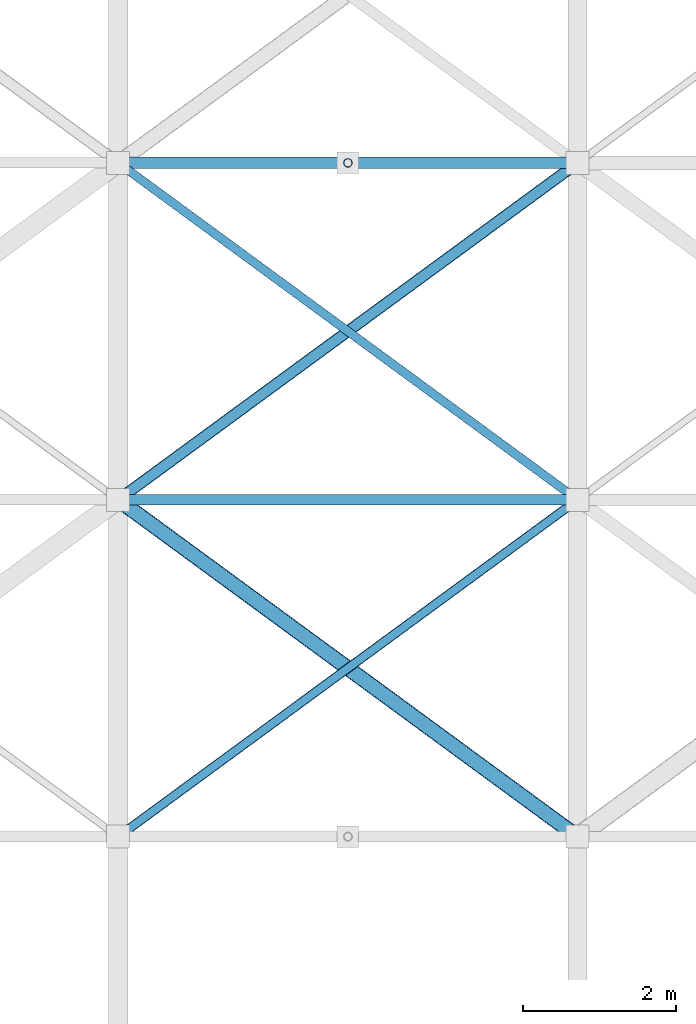
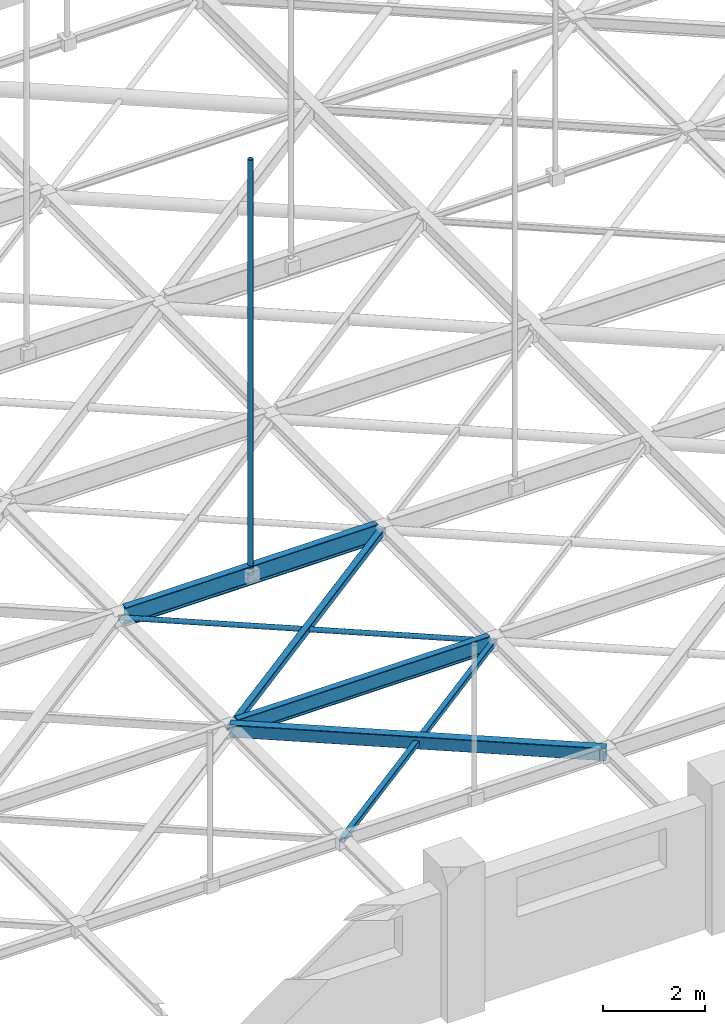
# One storey, part 34 of 93: 5 members, 2 beams.
"""IFC4 building model written with IfcOpenShell, lengths in metres."""

import ifcopenshell
import ifcopenshell.guid

model = None  # the IFC model being written
_history = None  # IfcOwnerHistory: only IFC2X3 demands one
_inside = {}  # id of a spatial element -> (the spatial element, [elements in it])
_under = {}  # id of a project, library or spatial element -> (it, [spatial elements below it])
_declared = {}  # id of a project -> (the project, [libraries it declares])
_typed = {}  # id of a type object -> (the type object, [elements of that type])
_made_of = {}  # id of a material, layer set ... -> (it, [elements and type objects made of it])


def new_model(schema):
    """Start an empty IFC model of exactly this schema.

    Asked for "IFC4X3", IfcOpenShell would pick the latest addendum, in which some entities
    have other attributes; the version numbers below select the first issue.
    IFC2X3 requires an IfcOwnerHistory on every rooted entity: one is made here for all.
    """
    global model, _history
    if schema == "IFC4X3":
        model = ifcopenshell.file(schema_version=(4, 3, 0, 0))
    else:
        model = ifcopenshell.file(schema=schema)
    _inside.clear()
    _under.clear()
    _declared.clear()
    _typed.clear()
    _made_of.clear()
    _history = None
    if model.schema == "IFC2X3":
        org = make("IfcOrganization", Name="unknown")
        user = make(
            "IfcPersonAndOrganization",
            ThePerson=make("IfcPerson", FamilyName="unknown"),
            TheOrganization=org,
        )
        app = make(
            "IfcApplication",
            ApplicationDeveloper=org,
            Version="unknown",
            ApplicationFullName="unknown",
            ApplicationIdentifier="unknown",
        )
        _history = make(
            "IfcOwnerHistory",
            OwningUser=user,
            OwningApplication=app,
            ChangeAction="ADDED",
            CreationDate=0,
        )
    return model


def make(cls, **values):
    """One entity of the class cls with the attributes given. An attribute that is None is left unset."""
    return model.create_entity(
        cls, **{name: value for name, value in values.items() if value is not None}
    )


def rooted(cls, **values):
    """An entity with a GlobalId (a new one), such as an element, a storey or a relation."""
    return make(cls, GlobalId=ifcopenshell.guid.new(), OwnerHistory=_history, **values)


def si_unit(unit_type, name, prefix=None):
    """IfcSIUnit, for example si_unit("LENGTHUNIT", "METRE", prefix="MILLI")."""
    return make("IfcSIUnit", UnitType=unit_type, Prefix=prefix, Name=name)


def assignment(units):
    """IfcUnitAssignment: the units of a project."""
    return None if units is None else make("IfcUnitAssignment", Units=units)


def point(xyz):
    """IfcCartesianPoint."""
    return None if xyz is None else make("IfcCartesianPoint", Coordinates=xyz)


def direction(xyz):
    """IfcDirection."""
    return None if xyz is None else make("IfcDirection", DirectionRatios=xyz)


def frame(location, z_axis=None, x_axis=None):
    """IfcAxis2Placement3D, a coordinate frame: its origin and axes. An axis left out is left unset."""
    return make(
        "IfcAxis2Placement3D",
        Location=point(location),
        Axis=direction(z_axis),
        RefDirection=direction(x_axis),
    )


def frame_2d(location, x_axis=None):
    """IfcAxis2Placement2D, a coordinate frame in the plane: its origin and x axis."""
    return make(
        "IfcAxis2Placement2D", Location=point(location), RefDirection=direction(x_axis)
    )


def origin():
    """The frame at (0, 0, 0) with its axes left unset."""
    return frame((0.0, 0.0, 0.0))


def origin_2d():
    """The frame at (0, 0) in the plane with its x axis left unset."""
    return frame_2d((0.0, 0.0))


def place(relative_to, where):
    """IfcLocalPlacement: puts the frame where relative to a parent placement (None: the world)."""
    return make(
        "IfcLocalPlacement", PlacementRelTo=relative_to, RelativePlacement=where
    )


def context(
    kind, dimensions, precision=None, world=None, true_north=None, identifier=None
):
    """IfcGeometricRepresentationContext, for example the 3D "Model" context."""
    return make(
        "IfcGeometricRepresentationContext",
        ContextIdentifier=identifier,
        ContextType=kind,
        CoordinateSpaceDimension=dimensions,
        Precision=precision,
        WorldCoordinateSystem=world,
        TrueNorth=true_north,
    )


def subcontext(parent, identifier, kind, view, scale=None):
    """IfcGeometricRepresentationSubContext, for example "Body" below "Model"."""
    return make(
        "IfcGeometricRepresentationSubContext",
        ContextIdentifier=identifier,
        ContextType=kind,
        ParentContext=parent,
        TargetScale=scale,
        TargetView=view,
    )


def project(units=None, contexts=None):
    """IfcProject with its units and contexts."""
    return rooted(
        "IfcProject",
        Name="project",
        RepresentationContexts=contexts,
        UnitsInContext=assignment(units),
    )


def spatial(cls, under=None, at=None, **own):
    """A site, building, storey or space (cls), placed at a placement, below another one or the project."""
    s = rooted(cls, ObjectPlacement=at, **own)
    if under is not None:
        _under.setdefault(under.id(), (under, []))[1].append(s)
    return s


def profile(cls, at=None, kind="AREA", **sizes):
    """A parametric profile (cls). Its sizes go by their IFC names, for example OverallWidth=200.0."""
    return make(cls, ProfileType=kind, Position=at, **sizes)


def hollow_rectangle(**sizes):
    """IfcRectangleHollowProfileDef."""
    return profile("IfcRectangleHollowProfileDef", **sizes)


def hollow_circle(**sizes):
    """IfcCircleHollowProfileDef."""
    return profile("IfcCircleHollowProfileDef", **sizes)


def i_section(**sizes):
    """IfcIShapeProfileDef."""
    return profile("IfcIShapeProfileDef", **sizes)


def extrude(swept, where, along, depth):
    """IfcExtrudedAreaSolid: the profile swept, set in the frame where, extruded along a direction by depth."""
    return make(
        "IfcExtrudedAreaSolid",
        SweptArea=swept,
        Position=where,
        ExtrudedDirection=direction(along),
        Depth=depth,
    )


def shape(context_of_items, identifier, shape_type, items):
    """IfcShapeRepresentation: the items that make up one representation, for example the "Body"."""
    return make(
        "IfcShapeRepresentation",
        ContextOfItems=context_of_items,
        RepresentationIdentifier=identifier,
        RepresentationType=shape_type,
        Items=items,
    )


def material(Name=None, Category=None):
    """IfcMaterial."""
    return make("IfcMaterial", Name=Name, Category=Category)


def material_profile(
    of_material, cross_section, Name=None, Category=None, Priority=None
):
    """IfcMaterialProfile: a cross section and its material."""
    return make(
        "IfcMaterialProfile",
        Name=Name,
        Material=of_material,
        Profile=cross_section,
        Priority=Priority,
        Category=Category,
    )


def profile_set(profiles, Name=None, composite=None):
    """IfcMaterialProfileSet."""
    return make(
        "IfcMaterialProfileSet",
        Name=Name,
        MaterialProfiles=profiles,
        CompositeProfile=composite,
    )


def made_of(thing, what):
    """Note that an element or type object is made of a material, layer set ...; save() writes the relation."""
    if what is not None:
        _made_of.setdefault(what.id(), (what, []))[1].append(thing)
    return thing


def type_object(cls, material=None, **own):
    """A type object (cls), such as IfcWallType, which elements share."""
    return made_of(rooted(cls, **own), material)


def element(
    cls,
    number,
    at=None,
    inside=None,
    cuts=None,
    type_object=None,
    material=None,
    context=None,
    identifier="Body",
    shape_type=None,
    held_by="IfcProductDefinitionShape",
    body=None,
    shapes=None,
    **own,
):
    """One element of the class cls, such as IfcWall. Its Tag is "e" and its number.

    at: its placement. inside: the storey or other place that contains it. cuts: it is an
    opening in that element (IfcRelVoidsElement). A single representation is given by context,
    identifier, shape_type and body (its items); several are given by shapes. held_by: the class
    of the entity that holds the representations. save() writes the other relations.
    """
    e = rooted(cls, Tag="e%d" % number, ObjectPlacement=at, **own)
    if body is not None:
        shapes = [shape(context, identifier, shape_type, body)]
    if shapes is not None:
        e.Representation = make(held_by, Representations=shapes)
    if inside is not None:
        _inside.setdefault(inside.id(), (inside, []))[1].append(e)
    if cuts is not None:
        rooted(
            "IfcRelVoidsElement", RelatingBuildingElement=cuts, RelatedOpeningElement=e
        )
    if type_object is not None:
        _typed.setdefault(type_object.id(), (type_object, []))[1].append(e)
    return made_of(e, material)


def aggregate(whole, parts):
    """IfcRelAggregates: a whole, such as a stair, and the parts it consists of."""
    return rooted("IfcRelAggregates", RelatingObject=whole, RelatedObjects=parts)


def save(model, path):
    """Write the relations noted so far, then the file.

    IfcRelAggregates (storeys below a building ...), IfcRelContainedInSpatialStructure (elements
    in a storey), IfcRelDefinesByType, IfcRelAssociatesMaterial and IfcRelDeclares: one each for
    every whole, place, type object, material and project.
    """
    for whole, parts in _under.values():
        aggregate(whole, parts)
    for where, things in _inside.values():
        rooted(
            "IfcRelContainedInSpatialStructure",
            RelatedElements=things,
            RelatingStructure=where,
        )
    for kind, things in _typed.values():
        rooted("IfcRelDefinesByType", RelatedObjects=things, RelatingType=kind)
    for what, things in _made_of.values():
        rooted("IfcRelAssociatesMaterial", RelatedObjects=things, RelatingMaterial=what)
    for by, libraries in _declared.values():
        rooted("IfcRelDeclares", RelatingContext=by, RelatedDefinitions=libraries)
    model.write(path)


model = new_model("IFC4")

# Units and contexts
model_context = context("Model", 3, precision=1e-05, world=origin(), true_north=direction((0.0, 1.0)))
body_context = subcontext(model_context, "Body", "Model", "MODEL_VIEW")
ifc_project = project(units=[si_unit("LENGTHUNIT", "METRE"), si_unit("AREAUNIT", "SQUARE_METRE"), si_unit("VOLUMEUNIT", "CUBIC_METRE"), si_unit("PLANEANGLEUNIT", "RADIAN"), si_unit("MASSUNIT", "GRAM", prefix="KILO")], contexts=[model_context])

# Site, building, storey
site_placement = place(None, origin())
site = spatial("IfcSite", under=ifc_project, at=site_placement, CompositionType="ELEMENT")
building_placement = place(site_placement, origin())
building = spatial("IfcBuilding", under=site, at=building_placement, Name="Varnakota Cinema and Media Centre", CompositionType="ELEMENT")
storey_placement = place(building_placement, frame((0.0, 0.0, 12.0)))
storey = spatial("IfcBuildingStorey", under=building, at=storey_placement, Name="L03", CompositionType="ELEMENT", Elevation=12.0)

# Beams
ifc_material_1 = material(Name="Structural steel Grade 350 (E350)", Category="steel")
ifc_material_profile_1 = material_profile(ifc_material_1, i_section(OverallWidth=0.139892578125, OverallDepth=0.39990234375, WebThickness=0.0087890625, FlangeThickness=0.01611328125, FilletRadius=0.013916015625, at=origin_2d()), Name="ISMB 400")
ifc_profile_set_1 = profile_set([ifc_material_profile_1], Name="Structural steel Grade 350 (E350)")
beam_type_1 = type_object("IfcBeamType", Name="BM-ST-ISMB400", PredefinedType="JOIST", material=ifc_profile_set_1)
beam_1_placement = place(storey_placement, frame((105.139892578125, 8.800048828125, 1.300048828125), z_axis=(1.0, 0.0, 0.0), x_axis=(0.0, 1.0, 0.0)))
element("IfcBeam", 1, at=beam_1_placement, inside=storey, type_object=beam_type_1, Name="V1 rigging beam 6.2", PredefinedType="JOIST", context=body_context, shape_type="SweptSolid", body=[
    extrude(i_section(OverallWidth=0.139892578125, OverallDepth=0.39990234375, WebThickness=0.0087890625, FlangeThickness=0.01611328125, FilletRadius=0.013916015625, at=origin_2d()), origin(), (0.0, 0.0, 1.0), 5.72021484375),
])
ifc_material_2 = material(Name="Structural steel Grade 350 (E350)", Category="steel")
ifc_material_profile_2 = material_profile(ifc_material_2, i_section(OverallWidth=0.14990234375, OverallDepth=0.449951171875, WebThickness=0.009521484375, FlangeThickness=0.017333984375, FilletRadius=0.014892578125, at=origin_2d()), Name="ISMB 450")
ifc_profile_set_2 = profile_set([ifc_material_profile_2], Name="Structural steel Grade 350 (E350)")
beam_type_2 = type_object("IfcBeamType", Name="BM-ST-ISMB450", PredefinedType="BEAM", material=ifc_profile_set_2)
beam_2_placement = place(storey_placement, frame((105.139892578125, 13.199951171875, 1.300048828125), z_axis=(1.0, 0.0, 0.0), x_axis=(0.0, 1.0, 0.0)))
element("IfcBeam", 2, at=beam_2_placement, inside=storey, type_object=beam_type_2, Name="V1 rigging beam 6.3", PredefinedType="BEAM", context=body_context, shape_type="SweptSolid", body=[
    extrude(i_section(OverallWidth=0.14990234375, OverallDepth=0.449951171875, WebThickness=0.009521484375, FlangeThickness=0.017333984375, FilletRadius=0.014892578125, at=origin_2d()), origin(), (0.0, 0.0, 1.0), 5.72021484375),
])

# Members
ifc_material_3 = material(Name="Structural steel S355 (YSt 355)", Category="steel")
ifc_material_profile_3 = material_profile(ifc_material_3, hollow_circle(Radius=0.05712890625, WallThickness=0.00537109375, at=origin_2d()), Name="CHS 114.3x5.4")
ifc_profile_set_3 = profile_set([ifc_material_profile_3], Name="Structural steel S355 (YSt 355)")
member_type_1 = type_object("IfcMemberType", Name="MEM-ST-CHS114_3x5_4", PredefinedType="BRACE", material=ifc_profile_set_3)
member_1_placement = place(storey_placement, frame((111.0, 8.800048828125, 1.300048828125), z_axis=(-0.80641125493, 0.591355128432, 0.0), x_axis=(-0.591355128432, -0.80641125493, 0.0)))
element("IfcMember", 3, at=member_1_placement, inside=storey, type_object=member_type_1, Name="V1 rigging plan member B 6.2", PredefinedType="BRACE", context=body_context, shape_type="SweptSolid", body=[
    extrude(hollow_circle(Radius=0.05712890625, WallThickness=0.00537109375, at=origin_2d()), origin(), (0.0, 0.0, 1.0), 7.4404296875),
])
member_2_placement = place(storey_placement, frame((108.0, 13.199951171875, 1.300048828125), z_axis=(0.0, 0.0, 1.0), x_axis=(1.0, 0.0, 0.0)))
element("IfcMember", 4, at=member_2_placement, inside=storey, type_object=member_type_1, Name="V1 rigging hanger 6.2", PredefinedType="BRACE", context=body_context, shape_type="SweptSolid", body=[
    extrude(hollow_circle(Radius=0.05712890625, WallThickness=0.00537109375, at=origin_2d()), origin(), (0.0, 0.0, 1.0), 9.949951171875),
])
ifc_material_4 = material(Name="Structural steel S355 (YSt 355)", Category="steel")
ifc_material_profile_4 = material_profile(ifc_material_4, hollow_rectangle(XDim=0.199951171875, YDim=0.300048828125, WallThickness=0.010009765625, InnerFilletRadius=0.010009765625, OuterFilletRadius=0.02001953125, at=origin_2d()), Name="RHS 300x200x10")
ifc_profile_set_4 = profile_set([ifc_material_profile_4], Name="Structural steel S355 (YSt 355)")
member_type_2 = type_object("IfcMemberType", Name="MEM-ST-RHS300x200x10", PredefinedType="PURLIN", material=ifc_profile_set_4)
member_3_placement = place(storey_placement, frame((111.0, 4.39990234375, 1.300048828125), z_axis=(-0.806395607258, 0.591376466048, 0.0), x_axis=(-0.591376466048, -0.806395607258, 0.0)))
element("IfcMember", 5, at=member_3_placement, inside=storey, type_object=member_type_2, Name="V1 rigging plan member B 6.1", PredefinedType="PURLIN", context=body_context, shape_type="SweptSolid", body=[
    extrude(hollow_rectangle(XDim=0.199951171875, YDim=0.300048828125, WallThickness=0.010009765625, InnerFilletRadius=0.010009765625, OuterFilletRadius=0.02001953125, at=origin_2d()), origin(), (0.0, 0.0, 1.0), 7.4404296875),
])
ifc_material_5 = material(Name="Structural steel S355 (YSt 355)", Category="steel")
ifc_material_profile_5 = material_profile(ifc_material_5, hollow_rectangle(XDim=0.1201171875, YDim=0.1201171875, WallThickness=0.006103515625, InnerFilletRadius=0.006103515625, OuterFilletRadius=0.011962890625, at=origin_2d()), Name="SHS 120x120x6")
ifc_profile_set_5 = profile_set([ifc_material_profile_5], Name="Structural steel S355 (YSt 355)")
member_type_3 = type_object("IfcMemberType", Name="MEM-ST-SHS120x120x6", PredefinedType="STRUT", material=ifc_profile_set_5)
member_4_placement = place(storey_placement, frame((105.0, 4.39990234375, 1.300048828125), z_axis=(0.806395607258, 0.591376466048, 0.0), x_axis=(-0.591376466048, 0.806395607258, 0.0)))
element("IfcMember", 6, at=member_4_placement, inside=storey, type_object=member_type_3, Name="V1 rigging plan member A 6.1", PredefinedType="STRUT", context=body_context, shape_type="SweptSolid", body=[
    extrude(hollow_rectangle(XDim=0.1201171875, YDim=0.1201171875, WallThickness=0.006103515625, InnerFilletRadius=0.006103515625, OuterFilletRadius=0.011962890625, at=origin_2d()), origin(), (0.0, 0.0, 1.0), 7.4404296875),
])
ifc_material_6 = material(Name="Structural steel S355 (YSt 355)", Category="steel")
ifc_material_profile_6 = material_profile(ifc_material_6, hollow_rectangle(XDim=0.14990234375, YDim=0.14990234375, WallThickness=0.008056640625, InnerFilletRadius=0.008056640625, OuterFilletRadius=0.01611328125, at=origin_2d()), Name="SHS 150x150x8")
ifc_profile_set_6 = profile_set([ifc_material_profile_6], Name="Structural steel S355 (YSt 355)")
member_type_4 = type_object("IfcMemberType", Name="MEM-ST-SHS150x150x8", PredefinedType="STRUT", material=ifc_profile_set_6)
member_5_placement = place(storey_placement, frame((105.0, 8.800048828125, 1.300048828125), z_axis=(0.80641125493, 0.591355128432, 0.0), x_axis=(-0.591355128432, 0.80641125493, 0.0)))
element("IfcMember", 7, at=member_5_placement, inside=storey, type_object=member_type_4, Name="V1 rigging plan member A 6.2", PredefinedType="STRUT", context=body_context, shape_type="SweptSolid", body=[
    extrude(hollow_rectangle(XDim=0.14990234375, YDim=0.14990234375, WallThickness=0.008056640625, InnerFilletRadius=0.008056640625, OuterFilletRadius=0.01611328125, at=origin_2d()), origin(), (0.0, 0.0, 1.0), 7.4404296875),
])

save(model, "model.ifc")
